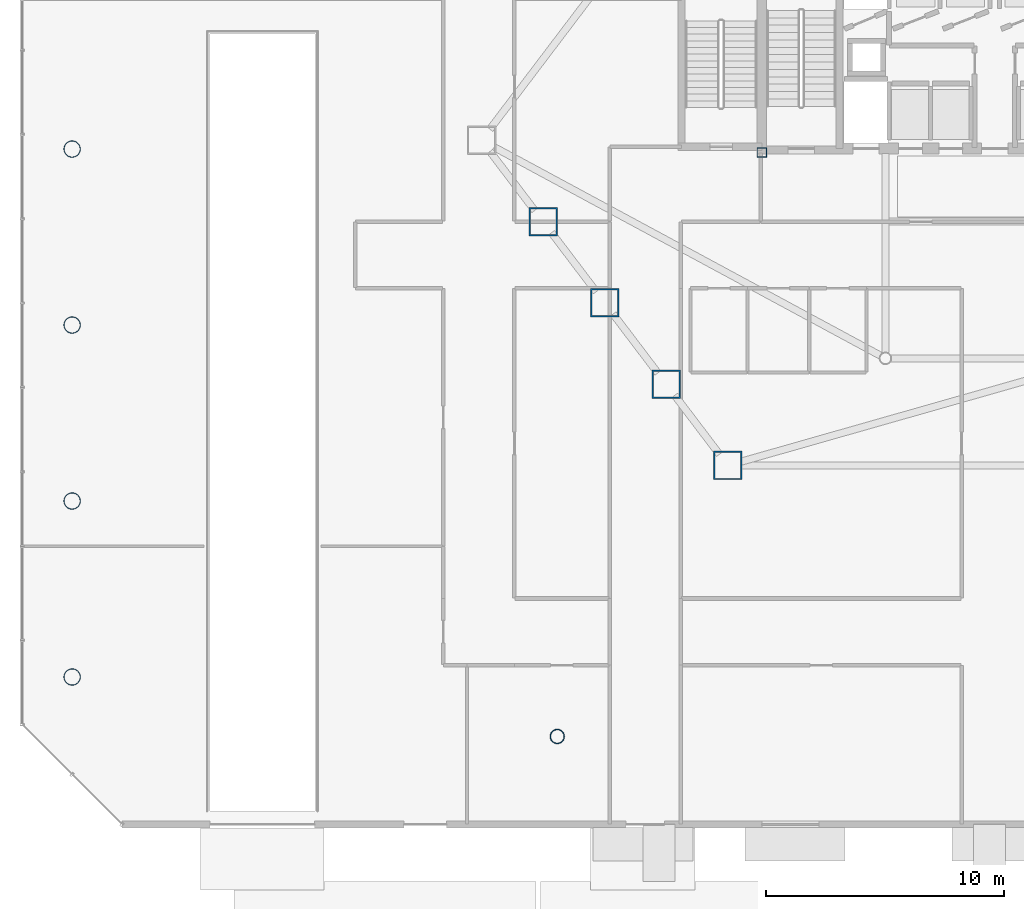
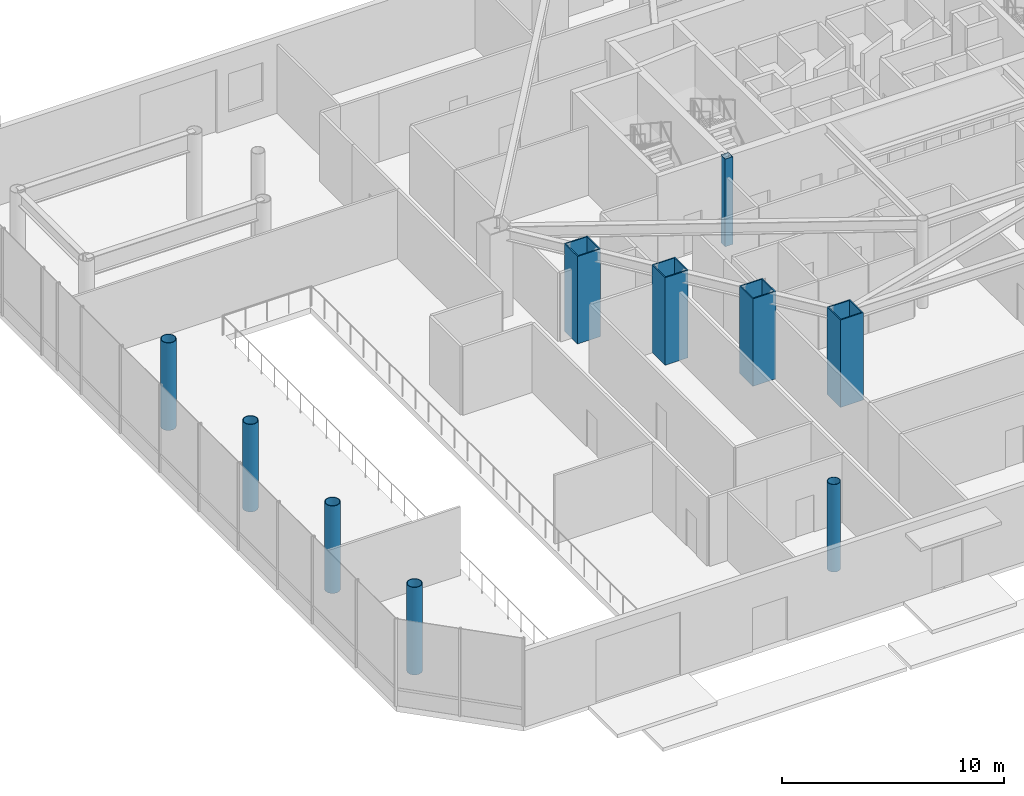
# One storey, part 1 of 31: 10 columns.
"""IFC4 building model written with IfcOpenShell, lengths in metres."""

from ifc_helpers import new_model, si_unit, direction, frame, origin, origin_2d, place, context, subcontext, project, spatial, hollow_rectangle, hollow_circle, extrude, material, material_profile, profile_set, type_object, element, save


model = new_model("IFC4")

# Units and contexts
model_context = context("Model", 3, precision=1e-05, world=origin(), true_north=direction((0.0, 1.0)))
body_context = subcontext(model_context, "Body", "Model", "MODEL_VIEW")
ifc_project = project(units=[si_unit("LENGTHUNIT", "METRE"), si_unit("AREAUNIT", "SQUARE_METRE"), si_unit("VOLUMEUNIT", "CUBIC_METRE"), si_unit("PLANEANGLEUNIT", "RADIAN"), si_unit("MASSUNIT", "GRAM", prefix="KILO")], contexts=[model_context])

# Site, building, storey
site_placement = place(None, origin())
site = spatial("IfcSite", under=ifc_project, at=site_placement, CompositionType="ELEMENT")
building_placement = place(site_placement, origin())
building = spatial("IfcBuilding", under=site, at=building_placement, Name="Zarrinselat Tower", CompositionType="ELEMENT")
storey_placement = place(building_placement, origin())
storey = spatial("IfcBuildingStorey", under=building, at=storey_placement, Name="L00", CompositionType="ELEMENT", Elevation=0.0)

# Columns
ifc_material_1 = material(Name="Steel S355J2", Category="steel")
ifc_material_profile_1 = material_profile(ifc_material_1, hollow_circle(Radius=0.304931640625, WallThickness=0.02490234375, at=origin_2d()), Name="CHS 610x25")
ifc_profile_set_1 = profile_set([ifc_material_profile_1], Name="Steel S355J2")
column_type_1 = type_object("IfcColumnType", Name="COL-CHS610", PredefinedType="COLUMN", material=ifc_profile_set_1)
column_1_placement = place(storey_placement, frame((20.0, 8.5, 0.0), z_axis=(0.0, 0.0, 1.0), x_axis=(1.0, 0.0, 0.0)))
element("IfcColumn", 1, at=column_1_placement, inside=storey, type_object=column_type_1, Name="L00 Garden Deck Support Column 1", PredefinedType="COLUMN", context=body_context, shape_type="SweptSolid", body=[
    extrude(hollow_circle(Radius=0.304931640625, WallThickness=0.02490234375, at=origin_2d()), origin(), (0.0, 0.0, 1.0), 4.820068359375),
])
ifc_material_2 = material(Name="Steel S460M", Category="steel")
ifc_material_profile_2 = material_profile(ifc_material_2, hollow_circle(Radius=0.35546875, WallThickness=0.030029296875, at=origin_2d()), Name="CHS 711x30")
ifc_profile_set_2 = profile_set([ifc_material_profile_2], Name="Steel S460M")
column_type_2 = type_object("IfcColumnType", Name="COL-CHS711", PredefinedType="COLUMN", material=ifc_profile_set_2)
for number, where, z_axis, x_axis, name in (
    (2, (-0.39990234375, 11.0, 0.0), (0.0, 0.0, 1.0), (1.0, 0.0, 0.0), "L00 Lower Podium Column 01"),
    (3, (-0.39990234375, 18.39990234375, 0.0), (0.0, 0.0, 1.0), (1.0, 0.0, 0.0), "L00 Lower Podium Column 02"),
    (4, (-0.39990234375, 25.800048828125, 0.0), (0.0, 0.0, 1.0), (1.0, 0.0, 0.0), "L00 Lower Podium Column 03"),
    (5, (-0.39990234375, 33.199951171875, 0.0), (0.0, 0.0, 1.0), (1.0, 0.0, 0.0), "L00 Lower Podium Column 04"),
):
    element("IfcColumn", number, at=place(storey_placement, frame(where, z_axis=z_axis, x_axis=x_axis)), inside=storey, type_object=column_type_2, Name=name, PredefinedType="COLUMN", context=body_context, shape_type="SweptSolid", body=[
        extrude(hollow_circle(Radius=0.35546875, WallThickness=0.030029296875, at=origin_2d()), origin(), (0.0, 0.0, 1.0), 4.820068359375),
    ])
ifc_material_3 = material(Name="Steel S460M", Category="steel")
ifc_material_profile_3 = material_profile(ifc_material_3, hollow_rectangle(XDim=1.199951171875, YDim=1.199951171875, WallThickness=0.06005859375, at=origin_2d()), Name="SHS 1200x1200x60")
ifc_profile_set_3 = profile_set([ifc_material_profile_3], Name="Steel S460M")
column_type_3 = type_object("IfcColumnType", Name="COL-SHS1200", PredefinedType="COLUMN", material=ifc_profile_set_3)
for number, where, z_axis, x_axis, name in (
    (6, (19.40478515625, 30.14990234375, 0.0), (0.0, 0.0, 1.0), (1.0, 0.0, 0.0), "L00 Framed-Tube Column T07"),
    (7, (21.994384765625, 26.73193359375, 0.0), (0.0, 0.0, 1.0), (1.0, 0.0, 0.0), "L00 Framed-Tube Column T08"),
    (8, (24.58349609375, 23.31396484375, 0.0), (0.0, 0.0, 1.0), (1.0, 0.0, 0.0), "L00 Framed-Tube Column T09"),
    (9, (27.173095703125, 19.89599609375, 0.0), (0.0, 0.0, 1.0), (1.0, 0.0, 0.0), "L00 Framed-Tube Column T10"),
):
    element("IfcColumn", number, at=place(storey_placement, frame(where, z_axis=z_axis, x_axis=x_axis)), inside=storey, type_object=column_type_3, Name=name, PredefinedType="COLUMN", context=body_context, shape_type="SweptSolid", body=[
        extrude(hollow_rectangle(XDim=1.199951171875, YDim=1.199951171875, WallThickness=0.06005859375, at=origin_2d()), origin(), (0.0, 0.0, 1.0), 4.820068359375),
    ])
ifc_material_4 = material(Name="Steel S355J2", Category="steel")
ifc_material_profile_4 = material_profile(ifc_material_4, hollow_rectangle(XDim=0.39990234375, YDim=0.39990234375, WallThickness=0.02001953125, at=origin_2d()), Name="SHS 400x400x20")
ifc_profile_set_4 = profile_set([ifc_material_profile_4], Name="Steel S355J2")
column_type_4 = type_object("IfcColumnType", Name="COL-SHS400", PredefinedType="PILASTER", material=ifc_profile_set_4)
column_2_placement = place(storey_placement, frame((28.60009765625, 33.050048828125, 0.0), z_axis=(0.0, 0.0, 1.0), x_axis=(1.0, 0.0, 0.0)))
element("IfcColumn", 10, at=column_2_placement, inside=storey, type_object=column_type_4, Name="L00 Gallery Structural Pilaster 1", PredefinedType="PILASTER", context=body_context, shape_type="SweptSolid", body=[
    extrude(hollow_rectangle(XDim=0.39990234375, YDim=0.39990234375, WallThickness=0.02001953125, at=origin_2d()), origin(), (0.0, 0.0, 1.0), 4.820068359375),
])

save(model, "model.ifc")
